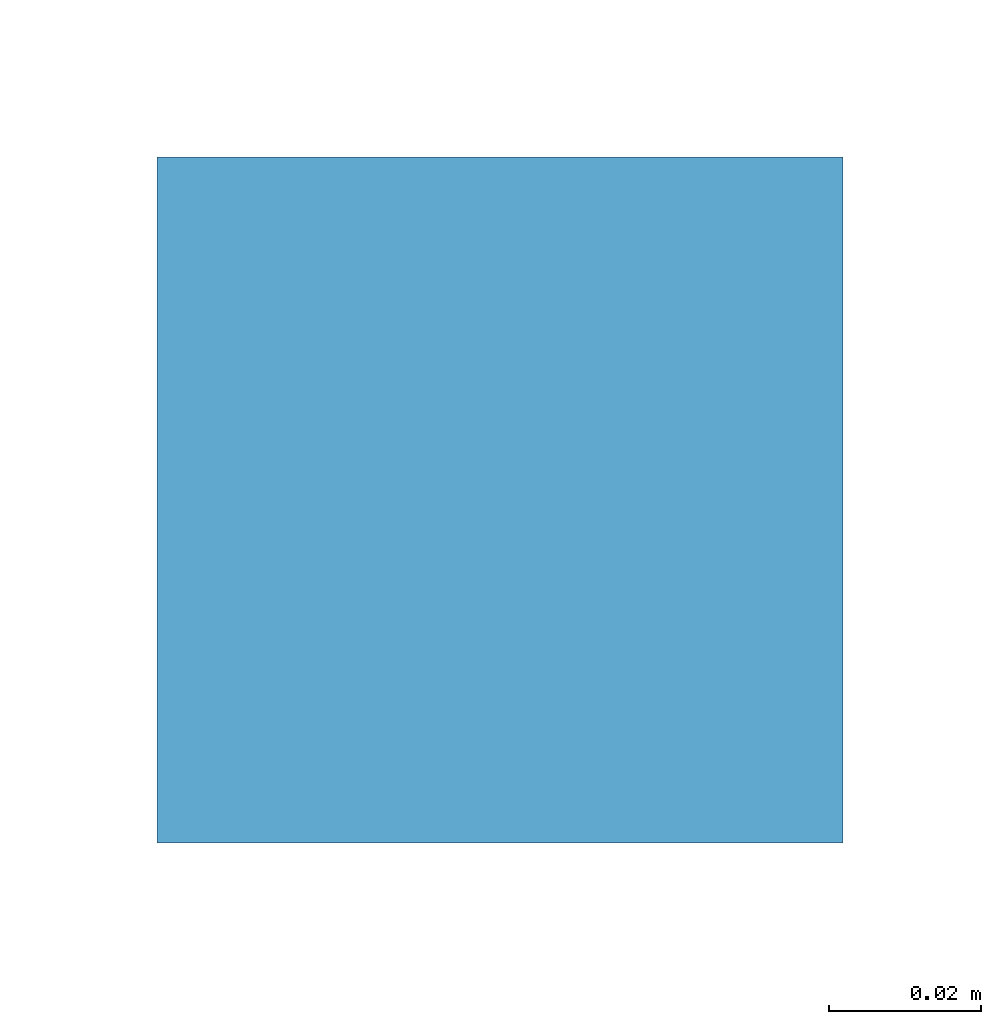
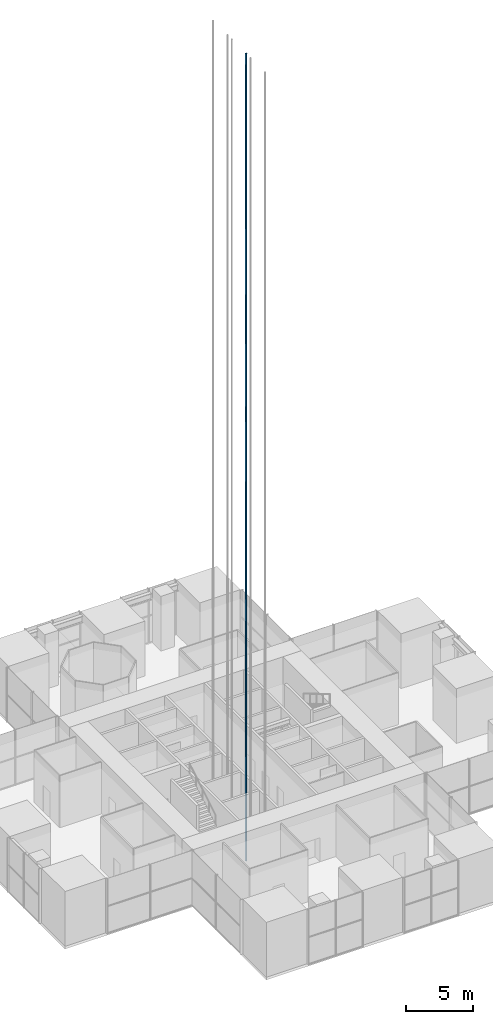
# One storey, part 10 of 16: 1 discrete accessory.
"""IFC4 building model written with IfcOpenShell, lengths in metres."""

from ifc_helpers import new_model, si_unit, direction, frame, origin, origin_2d, place, context, subcontext, project, spatial, rectangle, extrude, element, save


model = new_model("IFC4")

# Units and contexts
model_context = context("Model", 3, precision=1e-05, world=origin(), true_north=direction((0.0, 1.0)))
body_context = subcontext(model_context, "Body", "Model", "MODEL_VIEW")
ifc_project = project(units=[si_unit("LENGTHUNIT", "METRE"), si_unit("AREAUNIT", "SQUARE_METRE"), si_unit("VOLUMEUNIT", "CUBIC_METRE"), si_unit("PLANEANGLEUNIT", "RADIAN"), si_unit("MASSUNIT", "GRAM", prefix="KILO")], contexts=[model_context])

# Site, building, storey
site_placement = place(None, origin())
site = spatial("IfcSite", under=ifc_project, at=site_placement, CompositionType="ELEMENT")
building_placement = place(site_placement, origin())
building = spatial("IfcBuilding", under=site, at=building_placement, Name="Svetlomir Tower", CompositionType="ELEMENT")
storey_placement = place(building_placement, frame((0.0, 0.0, 91.5)))
storey = spatial("IfcBuildingStorey", under=building, at=storey_placement, Name="L21", CompositionType="ELEMENT", Elevation=91.5)

# Discrete accessory
discrete_accessory_placement = place(storey_placement, frame((18.300048828125, 15.625, -1.400146484375), z_axis=(0.0, 0.0, 1.0), x_axis=(1.0, 0.0, 0.0)))
element("IfcDiscreteAccessory", 1, at=discrete_accessory_placement, inside=storey, Name="Lift LB2 guide rail 1", ObjectType="LIFT GUIDE RAIL", PredefinedType="USERDEFINED", context=body_context, shape_type="SweptSolid", body=[
    extrude(rectangle(XDim=0.090087890625, YDim=0.090087890625, at=origin_2d()), origin(), (0.0, 0.0, 1.0), 73.60009765625),
])

save(model, "model.ifc")
